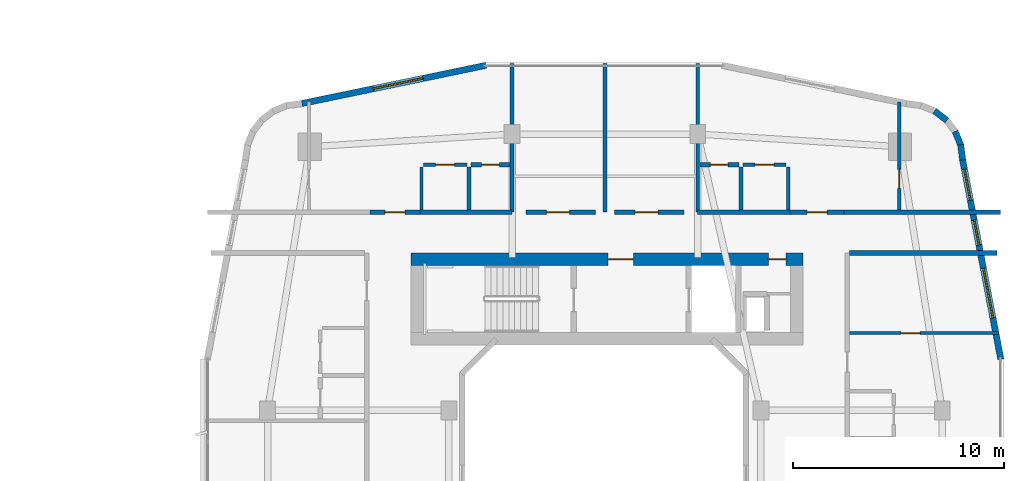
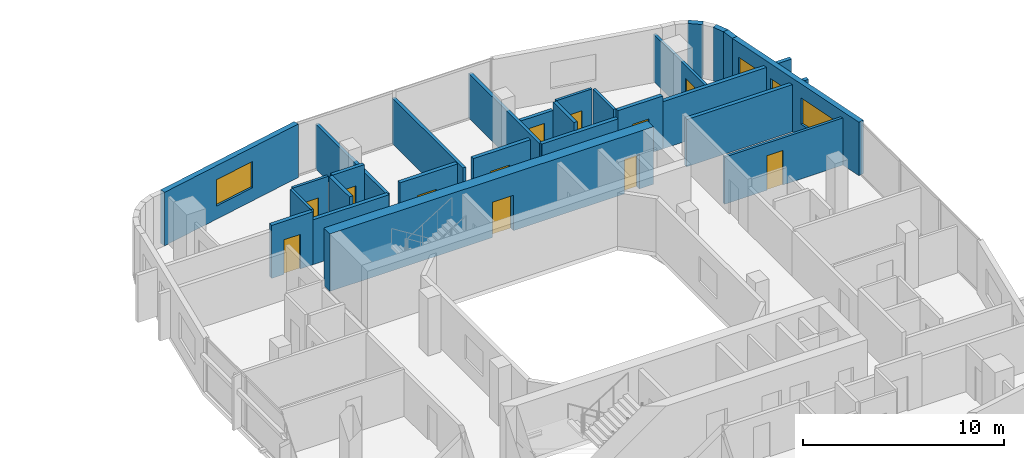
# One storey, part 20 of 26: 27 walls, 12 doors, 4 windows, 16 openings.
"""IFC4 building model written with IfcOpenShell, lengths in metres."""

import ifcopenshell
import ifcopenshell.guid

model = None  # the IFC model being written
_history = None  # IfcOwnerHistory: only IFC2X3 demands one
_inside = {}  # id of a spatial element -> (the spatial element, [elements in it])
_under = {}  # id of a project, library or spatial element -> (it, [spatial elements below it])
_declared = {}  # id of a project -> (the project, [libraries it declares])
_typed = {}  # id of a type object -> (the type object, [elements of that type])
_made_of = {}  # id of a material, layer set ... -> (it, [elements and type objects made of it])


def new_model(schema):
    """Start an empty IFC model of exactly this schema.

    Asked for "IFC4X3", IfcOpenShell would pick the latest addendum, in which some entities
    have other attributes; the version numbers below select the first issue.
    IFC2X3 requires an IfcOwnerHistory on every rooted entity: one is made here for all.
    """
    global model, _history
    if schema == "IFC4X3":
        model = ifcopenshell.file(schema_version=(4, 3, 0, 0))
    else:
        model = ifcopenshell.file(schema=schema)
    _inside.clear()
    _under.clear()
    _declared.clear()
    _typed.clear()
    _made_of.clear()
    _history = None
    if model.schema == "IFC2X3":
        org = make("IfcOrganization", Name="unknown")
        user = make(
            "IfcPersonAndOrganization",
            ThePerson=make("IfcPerson", FamilyName="unknown"),
            TheOrganization=org,
        )
        app = make(
            "IfcApplication",
            ApplicationDeveloper=org,
            Version="unknown",
            ApplicationFullName="unknown",
            ApplicationIdentifier="unknown",
        )
        _history = make(
            "IfcOwnerHistory",
            OwningUser=user,
            OwningApplication=app,
            ChangeAction="ADDED",
            CreationDate=0,
        )
    return model


def make(cls, **values):
    """One entity of the class cls with the attributes given. An attribute that is None is left unset."""
    return model.create_entity(
        cls, **{name: value for name, value in values.items() if value is not None}
    )


def rooted(cls, **values):
    """An entity with a GlobalId (a new one), such as an element, a storey or a relation."""
    return make(cls, GlobalId=ifcopenshell.guid.new(), OwnerHistory=_history, **values)


def si_unit(unit_type, name, prefix=None):
    """IfcSIUnit, for example si_unit("LENGTHUNIT", "METRE", prefix="MILLI")."""
    return make("IfcSIUnit", UnitType=unit_type, Prefix=prefix, Name=name)


def derived_unit(unit_type, elements):
    """IfcDerivedUnit: a product of units, each with its exponent."""
    return make(
        "IfcDerivedUnit",
        Elements=[
            make("IfcDerivedUnitElement", Unit=unit, Exponent=power)
            for unit, power in elements
        ],
        UnitType=unit_type,
    )


def assignment(units):
    """IfcUnitAssignment: the units of a project."""
    return None if units is None else make("IfcUnitAssignment", Units=units)


def point(xyz):
    """IfcCartesianPoint."""
    return None if xyz is None else make("IfcCartesianPoint", Coordinates=xyz)


def direction(xyz):
    """IfcDirection."""
    return None if xyz is None else make("IfcDirection", DirectionRatios=xyz)


def frame(location, z_axis=None, x_axis=None):
    """IfcAxis2Placement3D, a coordinate frame: its origin and axes. An axis left out is left unset."""
    return make(
        "IfcAxis2Placement3D",
        Location=point(location),
        Axis=direction(z_axis),
        RefDirection=direction(x_axis),
    )


def frame_2d(location, x_axis=None):
    """IfcAxis2Placement2D, a coordinate frame in the plane: its origin and x axis."""
    return make(
        "IfcAxis2Placement2D", Location=point(location), RefDirection=direction(x_axis)
    )


def origin():
    """The frame at (0, 0, 0) with its axes left unset."""
    return frame((0.0, 0.0, 0.0))


def place(relative_to, where):
    """IfcLocalPlacement: puts the frame where relative to a parent placement (None: the world)."""
    return make(
        "IfcLocalPlacement", PlacementRelTo=relative_to, RelativePlacement=where
    )


def context(
    kind, dimensions, precision=None, world=None, true_north=None, identifier=None
):
    """IfcGeometricRepresentationContext, for example the 3D "Model" context."""
    return make(
        "IfcGeometricRepresentationContext",
        ContextIdentifier=identifier,
        ContextType=kind,
        CoordinateSpaceDimension=dimensions,
        Precision=precision,
        WorldCoordinateSystem=world,
        TrueNorth=true_north,
    )


def subcontext(parent, identifier, kind, view, scale=None):
    """IfcGeometricRepresentationSubContext, for example "Body" below "Model"."""
    return make(
        "IfcGeometricRepresentationSubContext",
        ContextIdentifier=identifier,
        ContextType=kind,
        ParentContext=parent,
        TargetScale=scale,
        TargetView=view,
    )


def project(units=None, contexts=None):
    """IfcProject with its units and contexts."""
    return rooted(
        "IfcProject",
        Name="project",
        RepresentationContexts=contexts,
        UnitsInContext=assignment(units),
    )


def spatial(cls, under=None, at=None, **own):
    """A site, building, storey or space (cls), placed at a placement, below another one or the project."""
    s = rooted(cls, ObjectPlacement=at, **own)
    if under is not None:
        _under.setdefault(under.id(), (under, []))[1].append(s)
    return s


def profile(cls, at=None, kind="AREA", **sizes):
    """A parametric profile (cls). Its sizes go by their IFC names, for example OverallWidth=200.0."""
    return make(cls, ProfileType=kind, Position=at, **sizes)


def rectangle(**sizes):
    """IfcRectangleProfileDef."""
    return profile("IfcRectangleProfileDef", **sizes)


def extrude(swept, where, along, depth):
    """IfcExtrudedAreaSolid: the profile swept, set in the frame where, extruded along a direction by depth."""
    return make(
        "IfcExtrudedAreaSolid",
        SweptArea=swept,
        Position=where,
        ExtrudedDirection=direction(along),
        Depth=depth,
    )


def shape(context_of_items, identifier, shape_type, items):
    """IfcShapeRepresentation: the items that make up one representation, for example the "Body"."""
    return make(
        "IfcShapeRepresentation",
        ContextOfItems=context_of_items,
        RepresentationIdentifier=identifier,
        RepresentationType=shape_type,
        Items=items,
    )


def material(Name=None, Category=None):
    """IfcMaterial."""
    return make("IfcMaterial", Name=Name, Category=Category)


def layer(
    of_material, thickness, ventilated=None, Name=None, Category=None, Priority=None
):
    """IfcMaterialLayer: one layer of a wall or slab, of a material (None: an air gap)."""
    return make(
        "IfcMaterialLayer",
        Material=of_material,
        LayerThickness=thickness,
        IsVentilated=ventilated,
        Name=Name,
        Category=Category,
        Priority=Priority,
    )


def layer_set(layers, Name=None):
    """IfcMaterialLayerSet."""
    return make("IfcMaterialLayerSet", MaterialLayers=layers, LayerSetName=Name)


def made_of(thing, what):
    """Note that an element or type object is made of a material, layer set ...; save() writes the relation."""
    if what is not None:
        _made_of.setdefault(what.id(), (what, []))[1].append(thing)
    return thing


def type_object(cls, material=None, **own):
    """A type object (cls), such as IfcWallType, which elements share."""
    return made_of(rooted(cls, **own), material)


def element(
    cls,
    number,
    at=None,
    inside=None,
    cuts=None,
    type_object=None,
    material=None,
    context=None,
    identifier="Body",
    shape_type=None,
    held_by="IfcProductDefinitionShape",
    body=None,
    shapes=None,
    **own,
):
    """One element of the class cls, such as IfcWall. Its Tag is "e" and its number.

    at: its placement. inside: the storey or other place that contains it. cuts: it is an
    opening in that element (IfcRelVoidsElement). A single representation is given by context,
    identifier, shape_type and body (its items); several are given by shapes. held_by: the class
    of the entity that holds the representations. save() writes the other relations.
    """
    e = rooted(cls, Tag="e%d" % number, ObjectPlacement=at, **own)
    if body is not None:
        shapes = [shape(context, identifier, shape_type, body)]
    if shapes is not None:
        e.Representation = make(held_by, Representations=shapes)
    if inside is not None:
        _inside.setdefault(inside.id(), (inside, []))[1].append(e)
    if cuts is not None:
        rooted(
            "IfcRelVoidsElement", RelatingBuildingElement=cuts, RelatedOpeningElement=e
        )
    if type_object is not None:
        _typed.setdefault(type_object.id(), (type_object, []))[1].append(e)
    return made_of(e, material)


def fill(opening, filler):
    """IfcRelFillsElement: the door or window that sits in an opening."""
    return rooted(
        "IfcRelFillsElement",
        RelatingOpeningElement=opening,
        RelatedBuildingElement=filler,
    )


def aggregate(whole, parts):
    """IfcRelAggregates: a whole, such as a stair, and the parts it consists of."""
    return rooted("IfcRelAggregates", RelatingObject=whole, RelatedObjects=parts)


def save(model, path):
    """Write the relations noted so far, then the file.

    IfcRelAggregates (storeys below a building ...), IfcRelContainedInSpatialStructure (elements
    in a storey), IfcRelDefinesByType, IfcRelAssociatesMaterial and IfcRelDeclares: one each for
    every whole, place, type object, material and project.
    """
    for whole, parts in _under.values():
        aggregate(whole, parts)
    for where, things in _inside.values():
        rooted(
            "IfcRelContainedInSpatialStructure",
            RelatedElements=things,
            RelatingStructure=where,
        )
    for kind, things in _typed.values():
        rooted("IfcRelDefinesByType", RelatedObjects=things, RelatingType=kind)
    for what, things in _made_of.values():
        rooted("IfcRelAssociatesMaterial", RelatedObjects=things, RelatingMaterial=what)
    for by, libraries in _declared.values():
        rooted("IfcRelDeclares", RelatingContext=by, RelatedDefinitions=libraries)
    model.write(path)


model = new_model("IFC4")

# Units and contexts
model_context = context("Model", 3, precision=1e-05, world=origin(), true_north=direction((0.0, 1.0)))
body_context = subcontext(model_context, "Body", "Model", "MODEL_VIEW")
ifc_project = project(units=[si_unit("LENGTHUNIT", "METRE"), si_unit("AREAUNIT", "SQUARE_METRE"), si_unit("VOLUMEUNIT", "CUBIC_METRE"), si_unit("PLANEANGLEUNIT", "RADIAN"), si_unit("MASSUNIT", "GRAM", prefix="KILO"), derived_unit("THERMALTRANSMITTANCEUNIT", [(si_unit("POWERUNIT", "WATT"), 1), (si_unit("LENGTHUNIT", "METRE"), -2), (si_unit("THERMODYNAMICTEMPERATUREUNIT", "KELVIN"), -1)])], contexts=[model_context])

# Site, building, storey
site_placement = place(None, origin())
site = spatial("IfcSite", under=ifc_project, at=site_placement, CompositionType="ELEMENT")
building_placement = place(site_placement, origin())
building = spatial("IfcBuilding", under=site, at=building_placement, Name="Kivonza Crest Hotel", CompositionType="ELEMENT")
storey_placement = place(building_placement, frame((0.0, 0.0, 52.0)))
storey = spatial("IfcBuildingStorey", under=building, at=storey_placement, Name="L13", CompositionType="ELEMENT", Elevation=52.0)

# Walls
ifc_material_1 = material(Name="High-density acoustic masonry inter-tenancy wall", Category="masonry")
ifc_layer_1 = layer(ifc_material_1, 0.179931640625)
ifc_layer_set_1 = layer_set([ifc_layer_1], Name="High-density acoustic masonry inter-tenancy wall")
wall_type_1 = type_object("IfcWallType", Name="WL-ACOU-180", PredefinedType="SOLIDWALL", material=ifc_layer_set_1)
wall_1_placement = place(storey_placement, frame((72.60009765625, 37.89990234375, 0.0), z_axis=(0.0, 0.0, 1.0), x_axis=(0.0, 1.0, 0.0)))
element("IfcWall", 1, at=wall_1_placement, inside=storey, type_object=wall_type_1, Name="L13 interior partition WA-L13-T2N-DIV1", PredefinedType="SOLIDWALL", context=body_context, shape_type="SweptSolid", body=[
    extrude(rectangle(XDim=7.0400390625, YDim=0.179931640625, at=frame_2d((3.52001953125, 0.0))), origin(), (0.0, 0.0, 1.0), 2.72509765625),
])
wall_2_placement = place(storey_placement, frame((77.0, 37.89990234375, 0.0), z_axis=(0.0, 0.0, 1.0), x_axis=(0.0, 1.0, 0.0)))
element("IfcWall", 2, at=wall_2_placement, inside=storey, type_object=wall_type_1, Name="L13 interior partition WA-L13-T2N-OFFDIV", PredefinedType="SOLIDWALL", context=body_context, shape_type="SweptSolid", body=[
    extrude(rectangle(XDim=7.0400390625, YDim=0.179931640625, at=frame_2d((3.52001953125, 0.0))), origin(), (0.0, 0.0, 1.0), 2.77490234375),
])
wall_3_placement = place(storey_placement, frame((81.39990234375, 37.89990234375, 0.0), z_axis=(0.0, 0.0, 1.0), x_axis=(0.0, 1.0, 0.0)))
element("IfcWall", 3, at=wall_3_placement, inside=storey, type_object=wall_type_1, Name="L13 interior partition WA-L13-T2N-DIV2", PredefinedType="SOLIDWALL", context=body_context, shape_type="SweptSolid", body=[
    extrude(rectangle(XDim=7.0400390625, YDim=0.179931640625, at=frame_2d((3.52001953125, 0.0))), origin(), (0.0, 0.0, 1.0), 2.72509765625),
])
ifc_material_2 = material(Name="Autoclaved aerated concrete blockwork", Category="masonry")
ifc_layer_2 = layer(ifc_material_2, 0.219970703125)
ifc_layer_set_2 = layer_set([ifc_layer_2], Name="Autoclaved aerated concrete blockwork")
wall_type_2 = type_object("IfcWallType", Name="WL-ACOU-220", PredefinedType="SOLIDWALL", material=ifc_layer_set_2)
wall_4_placement = place(storey_placement, frame((68.219970703125, 37.89990234375, 0.0), z_axis=(0.0, 0.0, 1.0), x_axis=(1.0, 0.0, 0.0)))
element("IfcWall", 4, at=wall_4_placement, inside=storey, type_object=wall_type_2, Name="L13 interior partition WA-L13-A01-RCORR", PredefinedType="SOLIDWALL", context=body_context, shape_type="SweptSolid", body=[
    extrude(rectangle(XDim=4.380126953125, YDim=0.219970703125, at=frame_2d((2.18994140625, 0.0))), origin(), (0.0, 0.0, 1.0), 2.72509765625),
])

# Wall, opening, door
wall_5_placement = place(storey_placement, frame((65.85009765625, 37.89990234375, 0.0), z_axis=(0.0, 0.0, 1.0), x_axis=(1.0, 0.0, 0.0)))
wall_5 = element("IfcWall", 5, at=wall_5_placement, inside=storey, type_object=wall_type_2, Name="L13 interior partition WA-L13-A01-MCORR", PredefinedType="SOLIDWALL", context=body_context, shape_type="SweptSolid", body=[
    extrude(rectangle(XDim=2.369873046875, YDim=0.219970703125, at=frame_2d((1.18505859375, 0.0))), origin(), (0.0, 0.0, 1.0), 3.219970703125),
])
opening_1_placement = place(wall_5_placement, frame((0.7099609375, 0.0, 0.0)))
opening_1 = element("IfcOpeningElement", 6, at=opening_1_placement, cuts=wall_5, Name="Opening DU-60", PredefinedType="OPENING", context=body_context, shape_type="SweptSolid", body=[
    extrude(rectangle(XDim=0.949951171875, YDim=2.10009765625, at=frame_2d((0.47509765625, 1.050048828125))), frame((0.0, 0.1201171875, 0.0), z_axis=(0.0, -1.0, 0.0), x_axis=(1.0, 0.0, 0.0)), (0.0, 0.0, 1.0), 0.239990234375),
])
ifc_material_3 = material(Name="Hardwood timber oak", Category="wood")
door_type_1 = type_object("IfcDoorType", Name="DR-UNIT-950", OperationType="NOTDEFINED", PredefinedType="DOOR", material=ifc_material_3)
door_1_placement = place(opening_1_placement, origin())
door_1 = element("IfcDoor", 7, at=door_1_placement, inside=storey, type_object=door_type_1, Name="L13 A01 apartment entrance fire door", OperationType="SINGLE_SWING_LEFT", OverallHeight=2.10009765625, OverallWidth=0.949951171875, PredefinedType="DOOR", context=body_context, shape_type="SweptSolid", body=[
    extrude(rectangle(XDim=0.949951171875, YDim=2.10009765625, at=frame_2d((0.47509765625, 1.050048828125))), frame((0.0, 0.02490234375, 0.0), z_axis=(0.0, -1.0, 0.0), x_axis=(1.0, 0.0, 0.0)), (0.0, 0.0, 1.0), 0.050048828125),
])
fill(opening_1, door_1)

wall_6_placement = place(storey_placement, frame((73.25, 37.89990234375, 0.0), z_axis=(0.0, 0.0, 1.0), x_axis=(1.0, 0.0, 0.0)))
wall_6 = element("IfcWall", 8, at=wall_6_placement, inside=storey, type_object=wall_type_2, Name="L13 interior partition WA-L13-T2-OFF1-S", PredefinedType="SOLIDWALL", context=body_context, shape_type="SweptSolid", body=[
    extrude(rectangle(XDim=3.300048828125, YDim=0.219970703125, at=frame_2d((1.64990234375, 0.0))), origin(), (0.0, 0.0, 1.0), 3.219970703125),
])
opening_2_placement = place(wall_6_placement, frame((0.97998046875, 0.0, 0.0)))
opening_2 = element("IfcOpeningElement", 9, at=opening_2_placement, cuts=wall_6, Name="Opening DF-60M", PredefinedType="OPENING", context=body_context, shape_type="SweptSolid", body=[
    extrude(rectangle(XDim=1.10009765625, YDim=2.10009765625, at=frame_2d((0.550048828125, 1.050048828125))), frame((0.0, 0.1201171875, 0.0), z_axis=(0.0, -1.0, 0.0), x_axis=(1.0, 0.0, 0.0)), (0.0, 0.0, 1.0), 0.239990234375),
])
door_type_2 = type_object("IfcDoorType", Name="DR-FD60-1100", OperationType="NOTDEFINED", PredefinedType="DOOR", material=ifc_material_3)
door_2_placement = place(opening_2_placement, origin())
door_2 = element("IfcDoor", 10, at=door_2_placement, inside=storey, type_object=door_type_2, Name="L13 Resident Co-Working Study West door", OperationType="SINGLE_SWING_RIGHT", OverallHeight=2.10009765625, OverallWidth=1.10009765625, PredefinedType="DOOR", context=body_context, shape_type="SweptSolid", body=[
    extrude(rectangle(XDim=1.10009765625, YDim=2.10009765625, at=frame_2d((0.550048828125, 1.050048828125))), frame((0.0, 0.02490234375, 0.0), z_axis=(0.0, -1.0, 0.0), x_axis=(1.0, 0.0, 0.0)), (0.0, 0.0, 1.0), 0.050048828125),
])
fill(opening_2, door_2)

wall_7_placement = place(storey_placement, frame((77.449951171875, 37.89990234375, 0.0), z_axis=(0.0, 0.0, 1.0), x_axis=(1.0, 0.0, 0.0)))
wall_7 = element("IfcWall", 11, at=wall_7_placement, inside=storey, type_object=wall_type_2, Name="L13 interior partition WA-L13-T2-OFF2-S", PredefinedType="SOLIDWALL", context=body_context, shape_type="SweptSolid", body=[
    extrude(rectangle(XDim=3.300048828125, YDim=0.219970703125, at=frame_2d((1.64990234375, 0.0))), origin(), (0.0, 0.0, 1.0), 3.219970703125),
])
opening_3_placement = place(wall_7_placement, frame((0.97998046875, 0.0, 0.0)))
opening_3 = element("IfcOpeningElement", 12, at=opening_3_placement, cuts=wall_7, Name="Opening DF-60M", PredefinedType="OPENING", context=body_context, shape_type="SweptSolid", body=[
    extrude(rectangle(XDim=1.10009765625, YDim=2.10009765625, at=frame_2d((0.550048828125, 1.050048828125))), frame((0.0, 0.1201171875, 0.0), z_axis=(0.0, -1.0, 0.0), x_axis=(1.0, 0.0, 0.0)), (0.0, 0.0, 1.0), 0.239990234375),
])
door_3_placement = place(opening_3_placement, origin())
door_3 = element("IfcDoor", 13, at=door_3_placement, inside=storey, type_object=door_type_2, Name="L13 Resident Co-Working Study East door", OperationType="SINGLE_SWING_LEFT", OverallHeight=2.10009765625, OverallWidth=1.10009765625, PredefinedType="DOOR", context=body_context, shape_type="SweptSolid", body=[
    extrude(rectangle(XDim=1.10009765625, YDim=2.10009765625, at=frame_2d((0.550048828125, 1.050048828125))), frame((0.0, 0.02490234375, 0.0), z_axis=(0.0, -1.0, 0.0), x_axis=(1.0, 0.0, 0.0)), (0.0, 0.0, 1.0), 0.050048828125),
])
fill(opening_3, door_3)

# Walls
wall_8_placement = place(storey_placement, frame((81.39990234375, 37.89990234375, 0.0), z_axis=(0.0, 0.0, 1.0), x_axis=(1.0, 0.0, 0.0)))
element("IfcWall", 14, at=wall_8_placement, inside=storey, type_object=wall_type_2, Name="L13 interior partition WA-L13-A02-LCORR", PredefinedType="SOLIDWALL", context=body_context, shape_type="SweptSolid", body=[
    extrude(rectangle(XDim=4.380126953125, YDim=0.219970703125, at=frame_2d((2.18994140625, 0.0))), origin(), (0.0, 0.0, 1.0), 2.72509765625),
])
wall_9_placement = place(storey_placement, frame((88.35009765625, 37.89990234375, 0.0), z_axis=(0.0, 0.0, 1.0), x_axis=(1.0, 0.0, 0.0)))
element("IfcWall", 15, at=wall_9_placement, inside=storey, type_object=wall_type_2, Name="L13 interior partition WA-L13-A02-RCORR", PredefinedType="SOLIDWALL", context=body_context, shape_type="SweptSolid", body=[
    extrude(rectangle(XDim=7.409912109375, YDim=0.219970703125, at=frame_2d((3.705078125, 0.0))), origin(), (0.0, 0.0, 1.0), 2.864990234375),
])

# Wall, opening, door
wall_10_placement = place(storey_placement, frame((85.780029296875, 37.89990234375, 0.0), z_axis=(0.0, 0.0, 1.0), x_axis=(1.0, 0.0, 0.0)))
wall_10 = element("IfcWall", 16, at=wall_10_placement, inside=storey, type_object=wall_type_2, Name="L13 interior partition WA-L13-A02-MCORR", PredefinedType="SOLIDWALL", context=body_context, shape_type="SweptSolid", body=[
    extrude(rectangle(XDim=2.570068359375, YDim=0.219970703125, at=frame_2d((1.28515625, 0.0))), origin(), (0.0, 0.0, 1.0), 3.219970703125),
])
opening_4_placement = place(wall_10_placement, frame((0.81005859375, 0.0, 0.0)))
opening_4 = element("IfcOpeningElement", 17, at=opening_4_placement, cuts=wall_10, Name="Opening DU-60", PredefinedType="OPENING", context=body_context, shape_type="SweptSolid", body=[
    extrude(rectangle(XDim=0.949951171875, YDim=2.10009765625, at=frame_2d((0.47509765625, 1.050048828125))), frame((0.0, 0.1201171875, 0.0), z_axis=(0.0, -1.0, 0.0), x_axis=(1.0, 0.0, 0.0)), (0.0, 0.0, 1.0), 0.239990234375),
])
door_4_placement = place(opening_4_placement, origin())
door_4 = element("IfcDoor", 18, at=door_4_placement, inside=storey, type_object=door_type_1, Name="L13 A02 apartment entrance fire door", OperationType="SINGLE_SWING_RIGHT", OverallHeight=2.10009765625, OverallWidth=0.949951171875, PredefinedType="DOOR", context=body_context, shape_type="SweptSolid", body=[
    extrude(rectangle(XDim=0.949951171875, YDim=2.10009765625, at=frame_2d((0.47509765625, 1.050048828125))), frame((0.0, 0.02490234375, 0.0), z_axis=(0.0, -1.0, 0.0), x_axis=(1.0, 0.0, 0.0)), (0.0, 0.0, 1.0), 0.050048828125),
])
fill(opening_4, door_4)

# Wall
wall_11_placement = place(storey_placement, frame((88.60009765625, 35.9599609375, 0.0), z_axis=(0.0, 0.0, 1.0), x_axis=(1.0, 0.0, 0.0)))
element("IfcWall", 19, at=wall_11_placement, inside=storey, type_object=wall_type_2, Name="L13 interior partition WA-L13-T2E-ENDN", PredefinedType="SOLIDWALL", context=body_context, shape_type="SweptSolid", body=[
    extrude(rectangle(XDim=7.0, YDim=0.219970703125, at=frame_2d((3.5, 0.0))), origin(), (0.0, 0.0, 1.0), 2.864990234375),
])

# Wall, openings, doors
ifc_material_4 = material(Name="Concrete C60/75", Category="concrete")
ifc_layer_3 = layer(ifc_material_4, 0.60009765625)
ifc_layer_set_3 = layer_set([ifc_layer_3], Name="Concrete C60/75")
wall_type_3 = type_object("IfcWallType", Name="WL-CORE-600", PredefinedType="SHEAR", material=ifc_layer_set_3)
wall_12_placement = place(storey_placement, frame((67.800048828125, 35.659912109375, 0.0), z_axis=(0.0, 0.0, 1.0), x_axis=(1.0, 0.0, 0.0)))
wall_12 = element("IfcWall", 20, at=wall_12_placement, inside=storey, type_object=wall_type_3, Name="Core wall T2-N North L13", PredefinedType="SHEAR", context=body_context, shape_type="SweptSolid", body=[
    extrude(rectangle(XDim=18.599853515625, YDim=0.60009765625, at=frame_2d((9.2998046875, 0.0))), origin(), (0.0, 0.0, 1.0), 3.5),
])
opening_5_placement = place(wall_12_placement, frame((9.35009765625, 0.0, 0.0)))
opening_5 = element("IfcOpeningElement", 21, at=opening_5_placement, cuts=wall_12, Name="Opening DF-60", PredefinedType="OPENING", context=body_context, shape_type="SweptSolid", body=[
    extrude(rectangle(XDim=1.199951171875, YDim=2.14990234375, at=frame_2d((0.60009765625, 1.074951171875))), frame((0.0, 0.31005859375, 0.0), z_axis=(0.0, -1.0, 0.0), x_axis=(1.0, 0.0, 0.0)), (0.0, 0.0, 1.0), 0.6201171875),
])
opening_6_placement = place(wall_12_placement, frame((16.949951171875, 0.0, 0.0)))
opening_6 = element("IfcOpeningElement", 22, at=opening_6_placement, cuts=wall_12, Name="Opening DF-60R", PredefinedType="OPENING", context=body_context, shape_type="SweptSolid", body=[
    extrude(rectangle(XDim=0.85009765625, YDim=2.10009765625, at=frame_2d((0.425048828125, 1.050048828125))), frame((0.0, 0.31005859375, 0.0), z_axis=(0.0, -1.0, 0.0), x_axis=(1.0, 0.0, 0.0)), (0.0, 0.0, 1.0), 0.6201171875),
])
door_type_3 = type_object("IfcDoorType", Name="DR-FD60-1200", OperationType="NOTDEFINED", PredefinedType="DOOR", material=ifc_material_3)
door_5_placement = place(opening_5_placement, origin())
door_5 = element("IfcDoor", 23, at=door_5_placement, inside=storey, type_object=door_type_3, Name="L13 T2-N firefighting lobby fire door", OperationType="SINGLE_SWING_RIGHT", OverallHeight=2.14990234375, OverallWidth=1.199951171875, PredefinedType="DOOR", context=body_context, shape_type="SweptSolid", body=[
    extrude(rectangle(XDim=1.199951171875, YDim=2.14990234375, at=frame_2d((0.60009765625, 1.074951171875))), frame((0.0, 0.02490234375, 0.0), z_axis=(0.0, -1.0, 0.0), x_axis=(1.0, 0.0, 0.0)), (0.0, 0.0, 1.0), 0.050048828125),
])
fill(opening_5, door_5)
door_type_4 = type_object("IfcDoorType", Name="DR-FD60-850", OperationType="NOTDEFINED", PredefinedType="DOOR", material=ifc_material_3)
door_6_placement = place(opening_6_placement, origin())
door_6 = element("IfcDoor", 24, at=door_6_placement, inside=storey, type_object=door_type_4, Name="L13 T2-N core room door", OperationType="SINGLE_SWING_RIGHT", OverallHeight=2.10009765625, OverallWidth=0.85009765625, PredefinedType="DOOR", context=body_context, shape_type="SweptSolid", body=[
    extrude(rectangle(XDim=0.85009765625, YDim=2.10009765625, at=frame_2d((0.425048828125, 1.050048828125))), frame((0.0, 0.02490234375, 0.0), z_axis=(0.0, -1.0, 0.0), x_axis=(1.0, 0.0, 0.0)), (0.0, 0.0, 1.0), 0.050048828125),
])
fill(opening_6, door_6)

# Wall, openings, windows
ifc_material_5 = material(Name="Precast concrete C40/50", Category="concrete")
ifc_layer_4 = layer(ifc_material_5, 0.300048828125)
ifc_layer_set_4 = layer_set([ifc_layer_4], Name="Precast concrete C40/50")
wall_type_4 = type_object("IfcWallType", Name="WL-EXT-300", PredefinedType="STANDARD", material=ifc_layer_set_4)
wall_13_placement = place(storey_placement, frame((95.782958984375, 30.91796875, 0.0), z_axis=(0.0, 0.0, 1.0), x_axis=(-0.188087874316, 0.982152203854, 0.0)))
wall_13 = element("IfcWall", 25, at=wall_13_placement, inside=storey, type_object=wall_type_4, Name="L13 T2 exterior insulated wall 18", PredefinedType="STANDARD", context=body_context, shape_type="SweptSolid", body=[
    extrude(rectangle(XDim=9.6337890625, YDim=0.300048828125, at=frame_2d((4.81689453125, 0.0))), origin(), (0.0, 0.0, 1.0), 3.25),
])
opening_7_placement = place(wall_13_placement, frame((1.9990234375, 0.0, 0.800048828125)))
opening_7 = element("IfcOpeningElement", 26, at=opening_7_placement, cuts=wall_13, Name="Opening WN-05", PredefinedType="OPENING", context=body_context, shape_type="SweptSolid", body=[
    extrude(rectangle(XDim=2.39990234375, YDim=1.60009765625, at=frame_2d((1.199951171875, 0.800048828125))), frame((0.0, 0.16015625, 0.0), z_axis=(0.0, -1.0, 0.0), x_axis=(1.0, 0.0, 0.0)), (0.0, 0.0, 1.0), 0.320068359375),
])
opening_8_placement = place(wall_13_placement, frame((5.52099609375, 0.0, 0.85009765625)))
opening_8 = element("IfcOpeningElement", 27, at=opening_8_placement, cuts=wall_13, Name="Opening WN-01", PredefinedType="OPENING", context=body_context, shape_type="SweptSolid", body=[
    extrude(rectangle(XDim=1.199951171875, YDim=1.5, at=frame_2d((0.60009765625, 0.75))), frame((0.0, 0.16015625, 0.0), z_axis=(0.0, -1.0, 0.0), x_axis=(1.0, 0.0, 0.0)), (0.0, 0.0, 1.0), 0.320068359375),
])
opening_9_placement = place(wall_13_placement, frame((7.681884765625, 0.0, 0.85009765625)))
opening_9 = element("IfcOpeningElement", 28, at=opening_9_placement, cuts=wall_13, Name="Opening WN-02", PredefinedType="OPENING", context=body_context, shape_type="SweptSolid", body=[
    extrude(rectangle(XDim=1.5, YDim=1.5, at=frame_2d((0.75, 0.75))), frame((0.0, 0.16015625, 0.0), z_axis=(0.0, -1.0, 0.0), x_axis=(1.0, 0.0, 0.0)), (0.0, 0.0, 1.0), 0.320068359375),
])
ifc_material_6 = material(Name="Thermally broken bronze aluminium and low-E double glazing", Category="aluminium")
window_type_1 = type_object("IfcWindowType", Name="WN-120x150", PartitioningType="SINGLE_PANEL", PredefinedType="WINDOW", material=ifc_material_6)
window_1_placement = place(opening_8_placement, origin())
window_1 = element("IfcWindow", 29, at=window_1_placement, inside=storey, type_object=window_type_1, Name="L13 T2 facade window 18 bay 2", OverallHeight=1.5, OverallWidth=1.199951171875, PartitioningType="SINGLE_PANEL", PredefinedType="WINDOW", context=body_context, shape_type="SweptSolid", body=[
    extrude(rectangle(XDim=1.199951171875, YDim=1.5, at=frame_2d((0.60009765625, 0.75))), frame((0.0, 0.030029296875, 0.0), z_axis=(0.0, -1.0, 0.0), x_axis=(1.0, 0.0, 0.0)), (0.0, 0.0, 1.0), 0.06005859375),
])
fill(opening_8, window_1)
window_type_2 = type_object("IfcWindowType", Name="WN-150x150", PartitioningType="DOUBLE_PANEL_VERTICAL", PredefinedType="WINDOW", material=ifc_material_6)
window_2_placement = place(opening_9_placement, origin())
window_2 = element("IfcWindow", 30, at=window_2_placement, inside=storey, type_object=window_type_2, Name="L13 T2 facade window 18 bay 3", OverallHeight=1.5, OverallWidth=1.5, PartitioningType="SINGLE_PANEL", PredefinedType="WINDOW", context=body_context, shape_type="SweptSolid", body=[
    extrude(rectangle(XDim=1.5, YDim=1.5, at=frame_2d((0.75, 0.75))), frame((0.0, 0.030029296875, 0.0), z_axis=(0.0, -1.0, 0.0), x_axis=(1.0, 0.0, 0.0)), (0.0, 0.0, 1.0), 0.06005859375),
])
fill(opening_9, window_2)
window_type_3 = type_object("IfcWindowType", Name="WN-240x160", PartitioningType="TRIPLE_PANEL_VERTICAL", PredefinedType="WINDOW", material=ifc_material_6)
window_3_placement = place(opening_7_placement, origin())
window_3 = element("IfcWindow", 31, at=window_3_placement, inside=storey, type_object=window_type_3, Name="L13 T2 facade window 18 bay 1", OverallHeight=1.60009765625, OverallWidth=2.39990234375, PartitioningType="SINGLE_PANEL", PredefinedType="WINDOW", context=body_context, shape_type="SweptSolid", body=[
    extrude(rectangle(XDim=2.39990234375, YDim=1.60009765625, at=frame_2d((1.199951171875, 0.800048828125))), frame((0.0, 0.030029296875, 0.0), z_axis=(0.0, -1.0, 0.0), x_axis=(1.0, 0.0, 0.0)), (0.0, 0.0, 1.0), 0.06005859375),
])
fill(opening_7, window_3)

# Walls
wall_14_placement = place(storey_placement, frame((93.971923828125, 40.373046875, 0.0), z_axis=(0.0, 0.0, 1.0), x_axis=(-0.130255288807, 0.991480488834, 0.0)))
element("IfcWall", 32, at=wall_14_placement, inside=storey, type_object=wall_type_4, Name="L13 T2 exterior insulated wall 19", PredefinedType="STANDARD", context=body_context, shape_type="SweptSolid", body=[
    extrude(rectangle(XDim=0.72900390625, YDim=0.300048828125, at=frame_2d((0.364501953125, 0.0))), origin(), (0.0, 0.0, 1.0), 3.25),
])
wall_15_placement = place(storey_placement, frame((93.89599609375, 41.044921875, 0.0), z_axis=(0.0, 0.0, 1.0), x_axis=(-0.383267045233, 0.923637576129, 0.0)))
element("IfcWall", 33, at=wall_15_placement, inside=storey, type_object=wall_type_4, Name="L13 T2 exterior insulated wall 20", PredefinedType="STANDARD", context=body_context, shape_type="SweptSolid", body=[
    extrude(rectangle(XDim=0.745849609375, YDim=0.300048828125, at=frame_2d((0.373046875, 0.0))), origin(), (0.0, 0.0, 1.0), 3.25),
])
wall_16_placement = place(storey_placement, frame((93.22900390625, 42.24609375, 0.0), z_axis=(0.0, 0.0, 1.0), x_axis=(-0.79363269798, 0.608397189915, 0.0)))
element("IfcWall", 34, at=wall_16_placement, inside=storey, type_object=wall_type_4, Name="L13 T2 exterior insulated wall 22", PredefinedType="STANDARD", context=body_context, shape_type="SweptSolid", body=[
    extrude(rectangle(XDim=0.74609375, YDim=0.300048828125, at=frame_2d((0.373046875, 0.0))), origin(), (0.0, 0.0, 1.0), 3.25),
])

# Wall, opening, window
wall_17_placement = place(storey_placement, frame((71.35595703125, 44.864013671875, 0.0), z_axis=(0.0, 0.0, 1.0), x_axis=(-0.979127260729, -0.203248142175, 0.0)))
wall_17 = element("IfcWall", 35, at=wall_17_placement, inside=storey, type_object=wall_type_4, Name="L13 T2 exterior insulated wall 27", PredefinedType="STANDARD", context=body_context, shape_type="SweptSolid", body=[
    extrude(rectangle(XDim=8.920166015625, YDim=0.300048828125, at=frame_2d((4.4599609375, 0.0))), origin(), (0.0, 0.0, 1.0), 3.25),
])
opening_10_placement = place(wall_17_placement, frame((3.048095703125, 0.0, 0.800048828125)))
opening_10 = element("IfcOpeningElement", 36, at=opening_10_placement, cuts=wall_17, Name="Opening WN-05", PredefinedType="OPENING", context=body_context, shape_type="SweptSolid", body=[
    extrude(rectangle(XDim=2.39990234375, YDim=1.60009765625, at=frame_2d((1.199951171875, 0.800048828125))), frame((0.0, 0.16015625, 0.0), z_axis=(0.0, -1.0, 0.0), x_axis=(1.0, 0.0, 0.0)), (0.0, 0.0, 1.0), 0.320068359375),
])
window_4_placement = place(opening_10_placement, origin())
window_4 = element("IfcWindow", 37, at=window_4_placement, inside=storey, type_object=window_type_3, Name="L13 T2 facade window 27", OverallHeight=1.60009765625, OverallWidth=2.39990234375, PartitioningType="SINGLE_PANEL", PredefinedType="WINDOW", context=body_context, shape_type="SweptSolid", body=[
    extrude(rectangle(XDim=2.39990234375, YDim=1.60009765625, at=frame_2d((1.199951171875, 0.800048828125))), frame((0.0, 0.030029296875, 0.0), z_axis=(0.0, -1.0, 0.0), x_axis=(1.0, 0.0, 0.0)), (0.0, 0.0, 1.0), 0.06005859375),
])
fill(opening_10, window_4)

# Wall
ifc_material_7 = material(Name="Twin-stud acoustic gypsum board partition", Category="gypsum")
ifc_layer_5 = layer(ifc_material_7, 0.14990234375)
ifc_layer_set_5 = layer_set([ifc_layer_5], Name="Twin-stud acoustic gypsum board partition")
wall_type_5 = type_object("IfcWallType", Name="WL-PART-150", PredefinedType="PARTITIONING", material=ifc_layer_set_5)
wall_18_placement = place(storey_placement, frame((68.300048828125, 38.0, 0.0), z_axis=(0.0, 0.0, 1.0), x_axis=(0.0, 1.0, 0.0)))
element("IfcWall", 38, at=wall_18_placement, inside=storey, type_object=wall_type_5, Name="L13 interior partition WP-L13-A01-KF", PredefinedType="PARTITIONING", context=body_context, shape_type="SweptSolid", body=[
    extrude(rectangle(XDim=2.050048828125, YDim=0.14990234375, at=frame_2d((1.02490234375, 0.0))), origin(), (0.0, 0.0, 1.0), 3.219970703125),
])

# Wall, opening, door
wall_19_placement = place(storey_placement, frame((68.39990234375, 40.14990234375, 0.0), z_axis=(0.0, 0.0, 1.0), x_axis=(1.0, 0.0, 0.0)))
wall_19 = element("IfcWall", 39, at=wall_19_placement, inside=storey, type_object=wall_type_5, Name="L13 interior partition WP-L13-A01-KSVC", PredefinedType="PARTITIONING", context=body_context, shape_type="SweptSolid", body=[
    extrude(rectangle(XDim=2.050048828125, YDim=0.14990234375, at=frame_2d((1.02490234375, 0.0))), origin(), (0.0, 0.0, 1.0), 3.219970703125),
])
opening_11_placement = place(wall_19_placement, frame((0.574951171875, 0.0, 0.0)))
opening_11 = element("IfcOpeningElement", 40, at=opening_11_placement, cuts=wall_19, Name="Opening DI-90", PredefinedType="OPENING", context=body_context, shape_type="SweptSolid", body=[
    extrude(rectangle(XDim=0.89990234375, YDim=2.10009765625, at=frame_2d((0.449951171875, 1.050048828125))), frame((0.0, 0.0849609375, 0.0), z_axis=(0.0, -1.0, 0.0), x_axis=(1.0, 0.0, 0.0)), (0.0, 0.0, 1.0), 0.169921875),
])
door_type_5 = type_object("IfcDoorType", Name="DR-INT-900", OperationType="NOTDEFINED", PredefinedType="DOOR", material=ifc_material_3)
door_7_placement = place(opening_11_placement, origin())
door_7 = element("IfcDoor", 41, at=door_7_placement, inside=storey, type_object=door_type_5, Name="L13 A01 apartment kitchen door", OperationType="SINGLE_SWING_LEFT", OverallHeight=2.10009765625, OverallWidth=0.89990234375, PredefinedType="DOOR", context=body_context, shape_type="SweptSolid", body=[
    extrude(rectangle(XDim=0.89990234375, YDim=2.10009765625, at=frame_2d((0.449951171875, 1.050048828125))), frame((0.0, 0.02490234375, 0.0), z_axis=(0.0, -1.0, 0.0), x_axis=(1.0, 0.0, 0.0)), (0.0, 0.0, 1.0), 0.050048828125),
])
fill(opening_11, door_7)

wall_20_placement = place(storey_placement, frame((90.9599609375, 38.0, 0.0), z_axis=(0.0, 0.0, 1.0), x_axis=(0.0, 1.0, 0.0)))
wall_20 = element("IfcWall", 42, at=wall_20_placement, inside=storey, type_object=wall_type_5, Name="L13 interior partition WP-L13-A02-BDW1", PredefinedType="PARTITIONING", context=body_context, shape_type="SweptSolid", body=[
    extrude(rectangle(XDim=5.113037109375, YDim=0.14990234375, at=frame_2d((2.556640625, 0.0))), origin(), (0.0, 0.0, 1.0), 2.864990234375),
])
opening_12_placement = place(wall_20_placement, frame((1.030029296875, 0.0, 0.0)))
opening_12 = element("IfcOpeningElement", 43, at=opening_12_placement, cuts=wall_20, Name="Opening DI-90", PredefinedType="OPENING", context=body_context, shape_type="SweptSolid", body=[
    extrude(rectangle(XDim=0.89990234375, YDim=2.10009765625, at=frame_2d((0.449951171875, 1.050048828125))), frame((0.0, 0.0849609375, 0.0), z_axis=(0.0, -1.0, 0.0), x_axis=(1.0, 0.0, 0.0)), (0.0, 0.0, 1.0), 0.169921875),
])
door_8_placement = place(opening_12_placement, origin())
door_8 = element("IfcDoor", 44, at=door_8_placement, inside=storey, type_object=door_type_5, Name="L13 A02 bedroom 1 door", OperationType="SINGLE_SWING_LEFT", OverallHeight=2.10009765625, OverallWidth=0.89990234375, PredefinedType="DOOR", context=body_context, shape_type="SweptSolid", body=[
    extrude(rectangle(XDim=0.89990234375, YDim=2.10009765625, at=frame_2d((0.449951171875, 1.050048828125))), frame((0.0, 0.02490234375, 0.0), z_axis=(0.0, -1.0, 0.0), x_axis=(1.0, 0.0, 0.0)), (0.0, 0.0, 1.0), 0.050048828125),
])
fill(opening_12, door_8)

# Wall
wall_21_placement = place(storey_placement, frame((85.699951171875, 38.0, 0.0), z_axis=(0.0, 0.0, 1.0), x_axis=(0.0, 1.0, 0.0)))
element("IfcWall", 45, at=wall_21_placement, inside=storey, type_object=wall_type_5, Name="L13 interior partition WP-L13-A02-KF", PredefinedType="PARTITIONING", context=body_context, shape_type="SweptSolid", body=[
    extrude(rectangle(XDim=2.050048828125, YDim=0.14990234375, at=frame_2d((1.02490234375, 0.0))), origin(), (0.0, 0.0, 1.0), 3.219970703125),
])

# Wall, opening, door
wall_22_placement = place(storey_placement, frame((83.550048828125, 40.14990234375, 0.0), z_axis=(0.0, 0.0, 1.0), x_axis=(1.0, 0.0, 0.0)))
wall_22 = element("IfcWall", 46, at=wall_22_placement, inside=storey, type_object=wall_type_5, Name="L13 interior partition WP-L13-A02-KSVC", PredefinedType="PARTITIONING", context=body_context, shape_type="SweptSolid", body=[
    extrude(rectangle(XDim=2.050048828125, YDim=0.14990234375, at=frame_2d((1.02490234375, 0.0))), origin(), (0.0, 0.0, 1.0), 3.219970703125),
])
opening_13_placement = place(wall_22_placement, frame((0.574951171875, 0.0, 0.0)))
opening_13 = element("IfcOpeningElement", 47, at=opening_13_placement, cuts=wall_22, Name="Opening DI-90", PredefinedType="OPENING", context=body_context, shape_type="SweptSolid", body=[
    extrude(rectangle(XDim=0.89990234375, YDim=2.10009765625, at=frame_2d((0.449951171875, 1.050048828125))), frame((0.0, 0.0849609375, 0.0), z_axis=(0.0, -1.0, 0.0), x_axis=(1.0, 0.0, 0.0)), (0.0, 0.0, 1.0), 0.169921875),
])
door_9_placement = place(opening_13_placement, origin())
door_9 = element("IfcDoor", 48, at=door_9_placement, inside=storey, type_object=door_type_5, Name="L13 A02 apartment kitchen door", OperationType="SINGLE_SWING_RIGHT", OverallHeight=2.10009765625, OverallWidth=0.89990234375, PredefinedType="DOOR", context=body_context, shape_type="SweptSolid", body=[
    extrude(rectangle(XDim=0.89990234375, YDim=2.10009765625, at=frame_2d((0.449951171875, 1.050048828125))), frame((0.0, 0.02490234375, 0.0), z_axis=(0.0, -1.0, 0.0), x_axis=(1.0, 0.0, 0.0)), (0.0, 0.0, 1.0), 0.050048828125),
])
fill(opening_13, door_9)

wall_23_placement = place(storey_placement, frame((88.60009765625, 32.159912109375, 0.0), z_axis=(0.0, 0.0, 1.0), x_axis=(1.0, 0.0, 0.0)))
wall_23 = element("IfcWall", 49, at=wall_23_placement, inside=storey, type_object=wall_type_5, Name="L13 interior partition WP-L13-A09-BD1", PredefinedType="PARTITIONING", context=body_context, shape_type="SweptSolid", body=[
    extrude(rectangle(XDim=7.059814453125, YDim=0.14990234375, at=frame_2d((3.52978515625, 0.0))), origin(), (0.0, 0.0, 1.0), 2.864990234375),
])
opening_14_placement = place(wall_23_placement, frame((2.449951171875, 0.0, 0.0)))
opening_14 = element("IfcOpeningElement", 50, at=opening_14_placement, cuts=wall_23, Name="Opening DI-90", PredefinedType="OPENING", context=body_context, shape_type="SweptSolid", body=[
    extrude(rectangle(XDim=0.89990234375, YDim=2.10009765625, at=frame_2d((0.449951171875, 1.050048828125))), frame((0.0, 0.0849609375, 0.0), z_axis=(0.0, -1.0, 0.0), x_axis=(1.0, 0.0, 0.0)), (0.0, 0.0, 1.0), 0.169921875),
])
door_10_placement = place(opening_14_placement, origin())
door_10 = element("IfcDoor", 51, at=door_10_placement, inside=storey, type_object=door_type_5, Name="L13 A09 bedroom door", OperationType="SINGLE_SWING_RIGHT", OverallHeight=2.10009765625, OverallWidth=0.89990234375, PredefinedType="DOOR", context=body_context, shape_type="SweptSolid", body=[
    extrude(rectangle(XDim=0.89990234375, YDim=2.10009765625, at=frame_2d((0.449951171875, 1.050048828125))), frame((0.0, 0.02490234375, 0.0), z_axis=(0.0, -1.0, 0.0), x_axis=(1.0, 0.0, 0.0)), (0.0, 0.0, 1.0), 0.050048828125),
])
fill(opening_14, door_10)

# Wall
ifc_material_8 = material(Name="Moisture-resistant plumbing chase partition wall", Category="gypsum")
ifc_layer_6 = layer(ifc_material_8, 0.199951171875)
ifc_layer_set_6 = layer_set([ifc_layer_6], Name="Moisture-resistant plumbing chase partition wall")
wall_type_6 = type_object("IfcWallType", Name="WL-PLUMB-200", PredefinedType="PLUMBINGWALL", material=ifc_layer_set_6)
wall_24_placement = place(storey_placement, frame((70.550048828125, 38.0, 0.0), z_axis=(0.0, 0.0, 1.0), x_axis=(0.0, 1.0, 0.0)))
element("IfcWall", 52, at=wall_24_placement, inside=storey, type_object=wall_type_6, Name="L13 interior partition WW-L13-A01-BK", PredefinedType="PLUMBINGWALL", context=body_context, shape_type="SweptSolid", body=[
    extrude(rectangle(XDim=2.050048828125, YDim=0.199951171875, at=frame_2d((1.02490234375, 0.0))), origin(), (0.0, 0.0, 1.0), 3.219970703125),
])

# Wall, opening, door
wall_25_placement = place(storey_placement, frame((70.64990234375, 40.14990234375, 0.0), z_axis=(0.0, 0.0, 1.0), x_axis=(1.0, 0.0, 0.0)))
wall_25 = element("IfcWall", 53, at=wall_25_placement, inside=storey, type_object=wall_type_6, Name="L13 interior partition WW-L13-A01-BSVC", PredefinedType="PLUMBINGWALL", context=body_context, shape_type="SweptSolid", body=[
    extrude(rectangle(XDim=1.85009765625, YDim=0.199951171875, at=frame_2d((0.925048828125, 0.0))), origin(), (0.0, 0.0, 1.0), 3.219970703125),
])
opening_15_placement = place(wall_25_placement, frame((0.5, 0.0, 0.0)))
opening_15 = element("IfcOpeningElement", 54, at=opening_15_placement, cuts=wall_25, Name="Opening DI-85", PredefinedType="OPENING", context=body_context, shape_type="SweptSolid", body=[
    extrude(rectangle(XDim=0.85009765625, YDim=2.10009765625, at=frame_2d((0.425048828125, 1.050048828125))), frame((0.0, 0.10986328125, 0.0), z_axis=(0.0, -1.0, 0.0), x_axis=(1.0, 0.0, 0.0)), (0.0, 0.0, 1.0), 0.219970703125),
])
door_type_6 = type_object("IfcDoorType", Name="DR-INT-850", OperationType="NOTDEFINED", PredefinedType="DOOR", material=ifc_material_3)
door_11_placement = place(opening_15_placement, origin())
door_11 = element("IfcDoor", 55, at=door_11_placement, inside=storey, type_object=door_type_6, Name="L13 A01 apartment bathroom door", OperationType="SINGLE_SWING_RIGHT", OverallHeight=2.10009765625, OverallWidth=0.85009765625, PredefinedType="DOOR", context=body_context, shape_type="SweptSolid", body=[
    extrude(rectangle(XDim=0.85009765625, YDim=2.10009765625, at=frame_2d((0.425048828125, 1.050048828125))), frame((0.0, 0.02490234375, 0.0), z_axis=(0.0, -1.0, 0.0), x_axis=(1.0, 0.0, 0.0)), (0.0, 0.0, 1.0), 0.050048828125),
])
fill(opening_15, door_11)

# Wall
wall_26_placement = place(storey_placement, frame((83.449951171875, 38.0, 0.0), z_axis=(0.0, 0.0, 1.0), x_axis=(0.0, 1.0, 0.0)))
element("IfcWall", 56, at=wall_26_placement, inside=storey, type_object=wall_type_6, Name="L13 interior partition WW-L13-A02-BK", PredefinedType="PLUMBINGWALL", context=body_context, shape_type="SweptSolid", body=[
    extrude(rectangle(XDim=2.050048828125, YDim=0.199951171875, at=frame_2d((1.02490234375, 0.0))), origin(), (0.0, 0.0, 1.0), 3.219970703125),
])

# Wall, opening, door
wall_27_placement = place(storey_placement, frame((81.5, 40.14990234375, 0.0), z_axis=(0.0, 0.0, 1.0), x_axis=(1.0, 0.0, 0.0)))
wall_27 = element("IfcWall", 57, at=wall_27_placement, inside=storey, type_object=wall_type_6, Name="L13 interior partition WW-L13-A02-BSVC", PredefinedType="PLUMBINGWALL", context=body_context, shape_type="SweptSolid", body=[
    extrude(rectangle(XDim=1.85009765625, YDim=0.199951171875, at=frame_2d((0.925048828125, 0.0))), origin(), (0.0, 0.0, 1.0), 2.72509765625),
])
opening_16_placement = place(wall_27_placement, frame((0.5, 0.0, 0.0)))
opening_16 = element("IfcOpeningElement", 58, at=opening_16_placement, cuts=wall_27, Name="Opening DI-85", PredefinedType="OPENING", context=body_context, shape_type="SweptSolid", body=[
    extrude(rectangle(XDim=0.85009765625, YDim=2.10009765625, at=frame_2d((0.425048828125, 1.050048828125))), frame((0.0, 0.10986328125, 0.0), z_axis=(0.0, -1.0, 0.0), x_axis=(1.0, 0.0, 0.0)), (0.0, 0.0, 1.0), 0.219970703125),
])
door_12_placement = place(opening_16_placement, origin())
door_12 = element("IfcDoor", 59, at=door_12_placement, inside=storey, type_object=door_type_6, Name="L13 A02 apartment bathroom door", OperationType="SINGLE_SWING_LEFT", OverallHeight=2.10009765625, OverallWidth=0.85009765625, PredefinedType="DOOR", context=body_context, shape_type="SweptSolid", body=[
    extrude(rectangle(XDim=0.85009765625, YDim=2.10009765625, at=frame_2d((0.425048828125, 1.050048828125))), frame((0.0, 0.02490234375, 0.0), z_axis=(0.0, -1.0, 0.0), x_axis=(1.0, 0.0, 0.0)), (0.0, 0.0, 1.0), 0.050048828125),
])
fill(opening_16, door_12)

save(model, "model.ifc")
